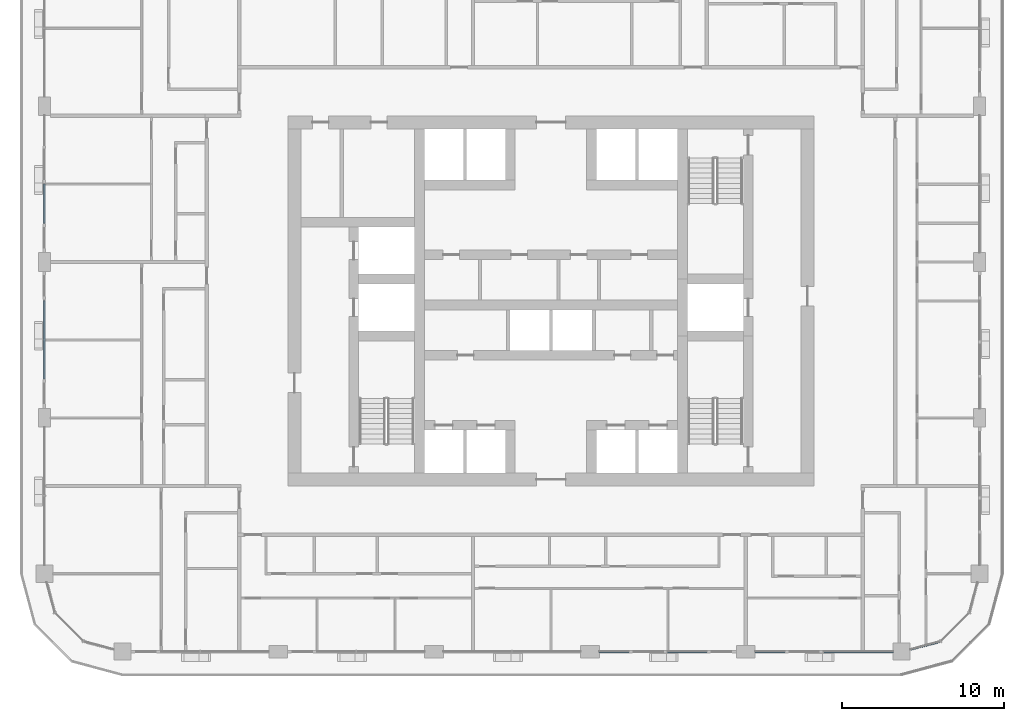
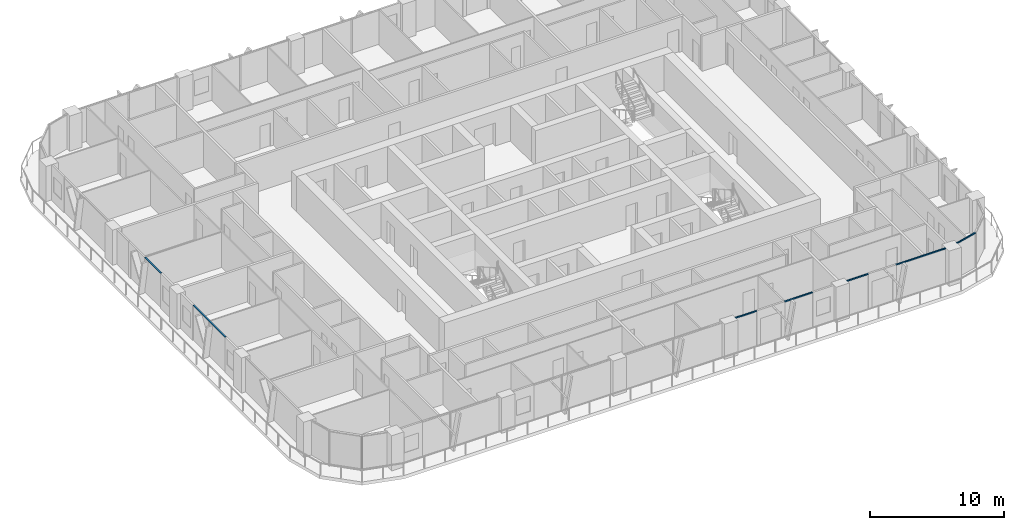
# One storey, part 3 of 22: 7 members, 5 elements without a shape of their own.
"""IFC4 building model written with IfcOpenShell, lengths in metres."""

from ifc_helpers import new_model, si_unit, direction, frame, origin, origin_2d, place, context, subcontext, project, spatial, rectangle, extrude, material, layer, layer_set, material_profile, profile_set, type_object, element, aggregate, save


model = new_model("IFC4")

# Units and contexts
model_context = context("Model", 3, precision=1e-05, world=origin(), true_north=direction((0.0, 1.0)))
body_context = subcontext(model_context, "Body", "Model", "MODEL_VIEW")
ifc_project = project(units=[si_unit("LENGTHUNIT", "METRE"), si_unit("AREAUNIT", "SQUARE_METRE"), si_unit("VOLUMEUNIT", "CUBIC_METRE"), si_unit("PLANEANGLEUNIT", "RADIAN"), si_unit("MASSUNIT", "GRAM", prefix="KILO")], contexts=[model_context])

# Site, building, storey
site_placement = place(None, origin())
site = spatial("IfcSite", under=ifc_project, at=site_placement, CompositionType="ELEMENT")
building_placement = place(site_placement, origin())
building = spatial("IfcBuilding", under=site, at=building_placement, Name="Madar Terraces", CompositionType="ELEMENT")
storey_placement = place(building_placement, frame((0.0, 0.0, 126.10009765625)))
storey = spatial("IfcBuildingStorey", under=building, at=storey_placement, Name="L32", CompositionType="ELEMENT", Elevation=126.10009765625)

# Curtain wall, members
ifc_material_1 = material(Name="Glass, ceramic frit dark grey, with black aluminium frame", Category="aluminium")
ifc_layer = layer(ifc_material_1, 0.199951171875)
ifc_layer_set = layer_set([ifc_layer], Name="Facade curtain wall, fritted glass")
curtain_wall_type = type_object("IfcCurtainWallType", Name="Facade curtain wall, fritted glass", PredefinedType="NOTDEFINED", material=ifc_layer_set)
curtain_wall_1_placement = place(storey_placement, origin())
curtain_wall_1 = element("IfcCurtainWall", 1, at=curtain_wall_1_placement, inside=storey, type_object=curtain_wall_type, Name="Outer skin curtain wall south bay 4", PredefinedType="NOTDEFINED")
ifc_material_2 = material(Name="Aluminium, black anodised", Category="aluminium")
ifc_material_profile = material_profile(ifc_material_2, rectangle(XDim=0.1201171875, YDim=0.06005859375, at=origin_2d()), Name="Facade transom 60x120")
ifc_profile_set = profile_set([ifc_material_profile], Name="Aluminium, black anodised")
member_type = type_object("IfcMemberType", Name="Facade transom 60x120", PredefinedType="USERDEFINED", material=ifc_profile_set)
member_1_placement = place(storey_placement, frame((34.175048828125, 4.800048828125, 3.169921875), z_axis=(1.0, 0.0, 0.0), x_axis=(0.0, 1.0, 0.0)))
member_1 = element("IfcMember", 2, at=member_1_placement, type_object=member_type, Name="Transom 1", ObjectType="TRANSOM", PredefinedType="USERDEFINED", context=body_context, shape_type="SweptSolid", body=[
    extrude(rectangle(XDim=0.1201171875, YDim=0.06005859375, at=origin_2d()), origin(), (0.0, 0.0, 1.0), 1.824951171875),
])
member_2_placement = place(storey_placement, frame((38.39990234375, 4.800048828125, 3.169921875), z_axis=(1.0, 0.0, 0.0), x_axis=(0.0, 1.0, 0.0)))
member_2 = element("IfcMember", 3, at=member_2_placement, type_object=member_type, Name="Transom 2", ObjectType="TRANSOM", PredefinedType="USERDEFINED", context=body_context, shape_type="SweptSolid", body=[
    extrude(rectangle(XDim=0.1201171875, YDim=0.06005859375, at=origin_2d()), origin(), (0.0, 0.0, 1.0), 2.400146484375),
])
aggregate(curtain_wall_1, [member_1, member_2])

curtain_wall_2_placement = place(storey_placement, origin())
curtain_wall_2 = element("IfcCurtainWall", 4, at=curtain_wall_2_placement, inside=storey, type_object=curtain_wall_type, Name="Outer skin curtain wall south bay 5", PredefinedType="NOTDEFINED")
member_3_placement = place(storey_placement, frame((43.77490234375, 4.800048828125, 3.169921875), z_axis=(1.0, 0.0, 0.0), x_axis=(0.0, 1.0, 0.0)))
member_3 = element("IfcMember", 5, at=member_3_placement, type_object=member_type, Name="Transom 1", ObjectType="TRANSOM", PredefinedType="USERDEFINED", context=body_context, shape_type="SweptSolid", body=[
    extrude(rectangle(XDim=0.1201171875, YDim=0.06005859375, at=origin_2d()), origin(), (0.0, 0.0, 1.0), 1.8251953125),
])
member_4_placement = place(storey_placement, frame((48.0, 4.800048828125, 3.169921875), z_axis=(1.0, 0.0, 0.0), x_axis=(0.0, 1.0, 0.0)))
member_4 = element("IfcMember", 6, at=member_4_placement, type_object=member_type, Name="Transom 2", ObjectType="TRANSOM", PredefinedType="USERDEFINED", context=body_context, shape_type="SweptSolid", body=[
    extrude(rectangle(XDim=0.1201171875, YDim=0.06005859375, at=origin_2d()), origin(), (0.0, 0.0, 1.0), 4.27490234375),
])
aggregate(curtain_wall_2, [member_3, member_4])

# Curtain wall, member
curtain_wall_3_placement = place(storey_placement, origin())
curtain_wall_3 = element("IfcCurtainWall", 7, at=curtain_wall_3_placement, inside=storey, type_object=curtain_wall_type, Name="Outer skin curtain wall west bay 2", PredefinedType="NOTDEFINED")
member_5_placement = place(storey_placement, frame((0.0, 33.60009765625, 3.169921875), z_axis=(0.0, -1.0, 0.0), x_axis=(1.0, 0.0, 0.0)))
member_5 = element("IfcMember", 8, at=member_5_placement, type_object=member_type, Name="Transom 2", ObjectType="TRANSOM", PredefinedType="USERDEFINED", context=body_context, shape_type="SweptSolid", body=[
    extrude(rectangle(XDim=0.1201171875, YDim=0.06005859375, at=origin_2d()), origin(), (0.0, 0.0, 1.0), 2.400146484375),
])
aggregate(curtain_wall_3, [member_5])

curtain_wall_4_placement = place(storey_placement, origin())
curtain_wall_4 = element("IfcCurtainWall", 9, at=curtain_wall_4_placement, inside=storey, type_object=curtain_wall_type, Name="Outer skin curtain wall west bay 3", PredefinedType="NOTDEFINED")
member_6_placement = place(storey_placement, frame((0.0, 26.39990234375, 3.169921875), z_axis=(0.0, -1.0, 0.0), x_axis=(1.0, 0.0, 0.0)))
member_6 = element("IfcMember", 10, at=member_6_placement, type_object=member_type, Name="Transom 1", ObjectType="TRANSOM", PredefinedType="USERDEFINED", context=body_context, shape_type="SweptSolid", body=[
    extrude(rectangle(XDim=0.1201171875, YDim=0.06005859375, at=origin_2d()), origin(), (0.0, 0.0, 1.0), 4.7998046875),
])
aggregate(curtain_wall_4, [member_6])

curtain_wall_5_placement = place(storey_placement, origin())
curtain_wall_5 = element("IfcCurtainWall", 11, at=curtain_wall_5_placement, inside=storey, type_object=curtain_wall_type, Name="Outer skin curtain wall south-east corner", PredefinedType="NOTDEFINED")
member_7_placement = place(storey_placement, frame((53.324951171875, 4.940673828125, 3.169921875), z_axis=(0.965933227928, 0.25879142023, 0.0), x_axis=(-0.25879142023, 0.965933227928, 0.0)))
member_7 = element("IfcMember", 12, at=member_7_placement, type_object=member_type, Name="Transom 1", ObjectType="TRANSOM", PredefinedType="USERDEFINED", context=body_context, shape_type="SweptSolid", body=[
    extrude(rectangle(XDim=0.1201171875, YDim=0.06005859375, at=origin_2d()), origin(), (0.0, 0.0, 1.0), 1.911376953125),
])
aggregate(curtain_wall_5, [member_7])

save(model, "model.ifc")
